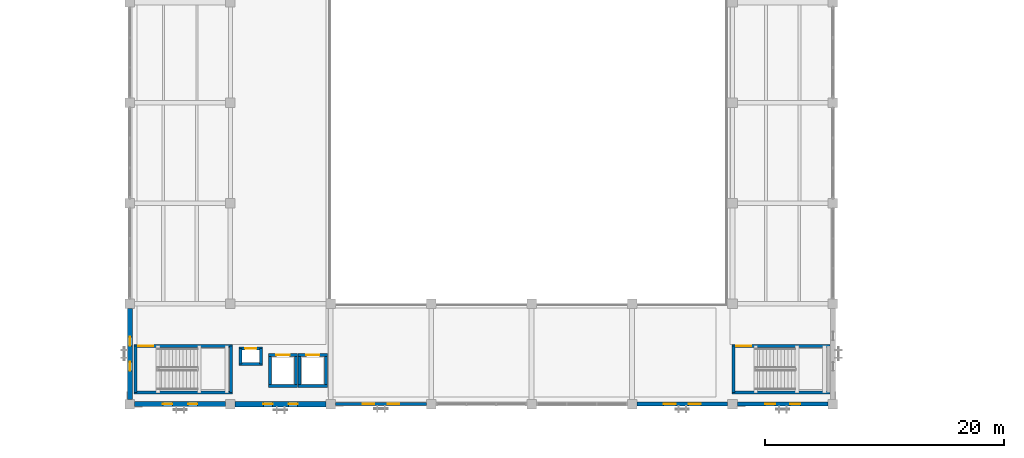
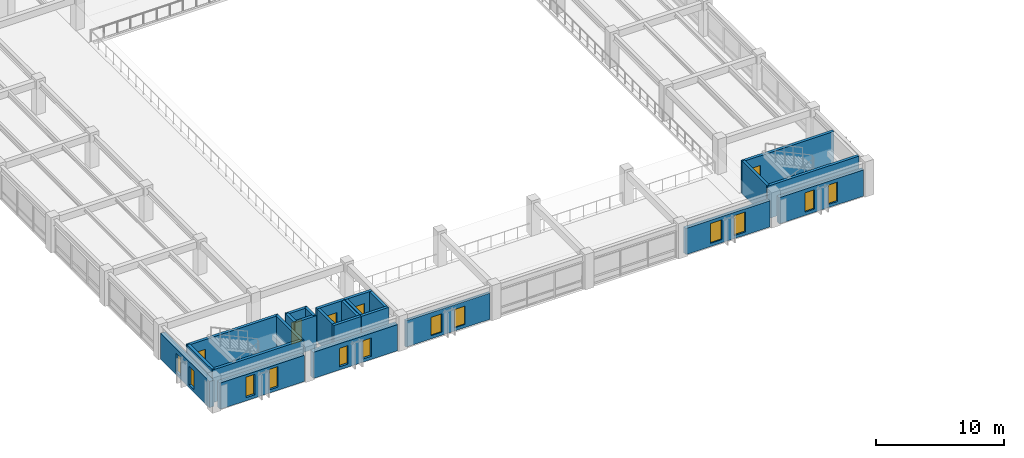
# One storey, part 83 of 111: 25 walls, 12 windows, 5 doors, 17 openings.
"""IFC4 building model written with IfcOpenShell, lengths in metres."""

from ifc_helpers import new_model, si_unit, direction, frame, frame_2d, origin, place, context, subcontext, project, spatial, rectangle, extrude, material, layer, layer_set, type_object, element, fill, save


model = new_model("IFC4")

# Units and contexts
model_context = context("Model", 3, precision=1e-05, world=origin(), true_north=direction((0.0, 1.0)))
body_context = subcontext(model_context, "Body", "Model", "MODEL_VIEW")
ifc_project = project(units=[si_unit("LENGTHUNIT", "METRE"), si_unit("AREAUNIT", "SQUARE_METRE"), si_unit("VOLUMEUNIT", "CUBIC_METRE"), si_unit("PLANEANGLEUNIT", "RADIAN"), si_unit("MASSUNIT", "GRAM", prefix="KILO")], contexts=[model_context])

# Site, building, storey
site_placement = place(None, origin())
site = spatial("IfcSite", under=ifc_project, at=site_placement, CompositionType="ELEMENT")
building_placement = place(site_placement, origin())
building = spatial("IfcBuilding", under=site, at=building_placement, Name="Cumbredor Promenade Congress Hotel", CompositionType="ELEMENT")
storey_placement = place(building_placement, frame((0.0, 0.0, 15.1201171875)))
storey = spatial("IfcBuildingStorey", under=building, at=storey_placement, Name="L04", CompositionType="ELEMENT", Elevation=15.1201171875)

# Wall, openings, windows
ifc_material_1 = material(Name="Concrete C40/50", Category="concrete")
ifc_layer_1 = layer(ifc_material_1, 0.260009765625, Name="Concrete C40/50", Category="concrete")
ifc_layer_set_1 = layer_set([ifc_layer_1], Name="Concrete C40/50")
wall_type_1 = type_object("IfcWallType", Name="WL-EXT-260", PredefinedType="SOLIDWALL", material=ifc_layer_set_1)
wall_1_placement = place(storey_placement, frame((25.60107421875, 8.39990234375, 0.0), z_axis=(0.0, 0.0, 1.0), x_axis=(1.0, 0.0, 0.0)))
wall_1 = element("IfcWall", 1, at=wall_1_placement, inside=storey, type_object=wall_type_1, Name="L04 Plenary Congress Hall South Envelope Wall 3", PredefinedType="SOLIDWALL", context=body_context, shape_type="SweptSolid", body=[
    extrude(rectangle(XDim=7.597900390625, YDim=0.260009765625, at=frame_2d((3.798828125, 0.0))), origin(), (0.0, 0.0, 1.0), 2.493896484375),
])
opening_1_placement = place(wall_1_placement, frame((2.259033203125, 0.0, 0.300048828125)))
opening_1 = element("IfcOpeningElement", 2, at=opening_1_placement, cuts=wall_1, Name="Opening WN-64", PredefinedType="OPENING", context=body_context, shape_type="SweptSolid", body=[
    extrude(rectangle(XDim=0.97998046875, YDim=1.75, at=frame_2d((0.489990234375, 0.875))), frame((0.0, 0.14013671875, 0.0), z_axis=(0.0, -1.0, 0.0), x_axis=(1.0, 0.0, 0.0)), (0.0, 0.0, 1.0), 0.280029296875),
])
opening_2_placement = place(wall_1_placement, frame((4.35888671875, 0.0, 0.300048828125)))
opening_2 = element("IfcOpeningElement", 3, at=opening_2_placement, cuts=wall_1, Name="Opening WN-64", PredefinedType="OPENING", context=body_context, shape_type="SweptSolid", body=[
    extrude(rectangle(XDim=0.97998046875, YDim=1.75, at=frame_2d((0.489990234375, 0.875))), frame((0.0, 0.14013671875, 0.0), z_axis=(0.0, -1.0, 0.0), x_axis=(1.0, 0.0, 0.0)), (0.0, 0.0, 1.0), 0.280029296875),
])
ifc_material_2 = material(Name="Thermally broken anodized aluminium and low-E glass", Category="aluminium")
window_type_1 = type_object("IfcWindowType", Name="Vertical Slot Window WN-64 980x1750", PartitioningType="SINGLE_PANEL", PredefinedType="WINDOW", material=ifc_material_2)
window_1_placement = place(opening_1_placement, origin())
window_1 = element("IfcWindow", 4, at=window_1_placement, inside=storey, type_object=window_type_1, Name="L04 Vertical Slot Window 0448", OverallHeight=1.75, OverallWidth=0.97998046875, PartitioningType="SINGLE_PANEL", PredefinedType="WINDOW", context=body_context, shape_type="SweptSolid", body=[
    extrude(rectangle(XDim=0.97998046875, YDim=1.75, at=frame_2d((0.489990234375, 0.875))), frame((0.0, 0.030029296875, 0.0), z_axis=(0.0, -1.0, 0.0), x_axis=(1.0, 0.0, 0.0)), (0.0, 0.0, 1.0), 0.06005859375),
])
fill(opening_1, window_1)
window_2_placement = place(opening_2_placement, origin())
window_2 = element("IfcWindow", 5, at=window_2_placement, inside=storey, type_object=window_type_1, Name="L04 Vertical Slot Window 0449", OverallHeight=1.75, OverallWidth=0.97998046875, PartitioningType="SINGLE_PANEL", PredefinedType="WINDOW", context=body_context, shape_type="SweptSolid", body=[
    extrude(rectangle(XDim=0.97998046875, YDim=1.75, at=frame_2d((0.489990234375, 0.875))), frame((0.0, 0.030029296875, 0.0), z_axis=(0.0, -1.0, 0.0), x_axis=(1.0, 0.0, 0.0)), (0.0, 0.0, 1.0), 0.06005859375),
])
fill(opening_2, window_2)

ifc_layer_2 = layer(ifc_material_1, 0.324951171875, Name="Concrete C40/50", Category="concrete")
ifc_layer_set_2 = layer_set([ifc_layer_2], Name="Concrete C40/50")
wall_type_2 = type_object("IfcWallType", Name="WL-EXT-325", PredefinedType="SOLIDWALL", material=ifc_layer_set_2)
wall_2_placement = place(storey_placement, frame((50.801025390625, 8.39990234375, 0.0), z_axis=(0.0, 0.0, 1.0), x_axis=(1.0, 0.0, 0.0)))
wall_2 = element("IfcWall", 6, at=wall_2_placement, inside=storey, type_object=wall_type_2, Name="L04 Plenary Congress Hall South Envelope Wall 6", PredefinedType="SOLIDWALL", context=body_context, shape_type="SweptSolid", body=[
    extrude(rectangle(XDim=7.597900390625, YDim=0.324951171875, at=frame_2d((3.798828125, 0.0))), origin(), (0.0, 0.0, 1.0), 2.493896484375),
])
opening_3_placement = place(wall_2_placement, frame((2.239013671875, 0.0, 0.300048828125)))
opening_3 = element("IfcOpeningElement", 7, at=opening_3_placement, cuts=wall_2, Name="Opening WN-69", PredefinedType="OPENING", context=body_context, shape_type="SweptSolid", body=[
    extrude(rectangle(XDim=1.02001953125, YDim=1.89990234375, at=frame_2d((0.510009765625, 0.949951171875))), frame((0.0, 0.17236328125, 0.0), z_axis=(0.0, -1.0, 0.0), x_axis=(1.0, 0.0, 0.0)), (0.0, 0.0, 1.0), 0.344970703125),
])
opening_4_placement = place(wall_2_placement, frame((4.339111328125, 0.0, 0.300048828125)))
opening_4 = element("IfcOpeningElement", 8, at=opening_4_placement, cuts=wall_2, Name="Opening WN-69", PredefinedType="OPENING", context=body_context, shape_type="SweptSolid", body=[
    extrude(rectangle(XDim=1.02001953125, YDim=1.89990234375, at=frame_2d((0.510009765625, 0.949951171875))), frame((0.0, 0.17236328125, 0.0), z_axis=(0.0, -1.0, 0.0), x_axis=(1.0, 0.0, 0.0)), (0.0, 0.0, 1.0), 0.344970703125),
])
window_type_2 = type_object("IfcWindowType", Name="Vertical Slot Window WN-69 1020x1900", PartitioningType="SINGLE_PANEL", PredefinedType="WINDOW", material=ifc_material_2)
window_3_placement = place(opening_3_placement, origin())
window_3 = element("IfcWindow", 9, at=window_3_placement, inside=storey, type_object=window_type_2, Name="L04 Vertical Slot Window 0450", OverallHeight=1.89990234375, OverallWidth=1.02001953125, PartitioningType="SINGLE_PANEL", PredefinedType="WINDOW", context=body_context, shape_type="SweptSolid", body=[
    extrude(rectangle(XDim=1.02001953125, YDim=1.89990234375, at=frame_2d((0.510009765625, 0.949951171875))), frame((0.0, 0.030029296875, 0.0), z_axis=(0.0, -1.0, 0.0), x_axis=(1.0, 0.0, 0.0)), (0.0, 0.0, 1.0), 0.06005859375),
])
fill(opening_3, window_3)
window_4_placement = place(opening_4_placement, origin())
window_4 = element("IfcWindow", 10, at=window_4_placement, inside=storey, type_object=window_type_2, Name="L04 Vertical Slot Window 0451", OverallHeight=1.89990234375, OverallWidth=1.02001953125, PartitioningType="SINGLE_PANEL", PredefinedType="WINDOW", context=body_context, shape_type="SweptSolid", body=[
    extrude(rectangle(XDim=1.02001953125, YDim=1.89990234375, at=frame_2d((0.510009765625, 0.949951171875))), frame((0.0, 0.030029296875, 0.0), z_axis=(0.0, -1.0, 0.0), x_axis=(1.0, 0.0, 0.0)), (0.0, 0.0, 1.0), 0.06005859375),
])
fill(opening_4, window_4)

ifc_layer_3 = layer(ifc_material_1, 0.35009765625, Name="Concrete C40/50", Category="concrete")
ifc_layer_set_3 = layer_set([ifc_layer_3], Name="Concrete C40/50")
wall_type_3 = type_object("IfcWallType", Name="WL-EXT-350", PredefinedType="SOLIDWALL", material=ifc_layer_set_3)
wall_3_placement = place(storey_placement, frame((59.200927734375, 8.39990234375, 0.0), z_axis=(0.0, 0.0, 1.0), x_axis=(1.0, 0.0, 0.0)))
wall_3 = element("IfcWall", 11, at=wall_3_placement, inside=storey, type_object=wall_type_3, Name="L04 Plenary Congress Hall South Envelope Wall 7", PredefinedType="SOLIDWALL", context=body_context, shape_type="SweptSolid", body=[
    extrude(rectangle(XDim=7.59814453125, YDim=0.35009765625, at=frame_2d((3.799072265625, 0.0))), origin(), (0.0, 0.0, 1.0), 2.493896484375),
])
opening_5_placement = place(wall_3_placement, frame((2.3291015625, 0.0, 0.300048828125)))
opening_5 = element("IfcOpeningElement", 12, at=opening_5_placement, cuts=wall_3, Name="Opening WN-47", PredefinedType="OPENING", context=body_context, shape_type="SweptSolid", body=[
    extrude(rectangle(XDim=0.840087890625, YDim=1.85009765625, at=frame_2d((0.419921875, 0.925048828125))), frame((0.0, 0.18505859375, 0.0), z_axis=(0.0, -1.0, 0.0), x_axis=(1.0, 0.0, 0.0)), (0.0, 0.0, 1.0), 0.3701171875),
])
opening_6_placement = place(wall_3_placement, frame((4.428955078125, 0.0, 0.300048828125)))
opening_6 = element("IfcOpeningElement", 13, at=opening_6_placement, cuts=wall_3, Name="Opening WN-47", PredefinedType="OPENING", context=body_context, shape_type="SweptSolid", body=[
    extrude(rectangle(XDim=0.840087890625, YDim=1.85009765625, at=frame_2d((0.419921875, 0.925048828125))), frame((0.0, 0.18505859375, 0.0), z_axis=(0.0, -1.0, 0.0), x_axis=(1.0, 0.0, 0.0)), (0.0, 0.0, 1.0), 0.3701171875),
])
window_type_3 = type_object("IfcWindowType", Name="Vertical Slot Window WN-47 840x1850", PartitioningType="SINGLE_PANEL", PredefinedType="WINDOW", material=ifc_material_2)
window_5_placement = place(opening_5_placement, origin())
window_5 = element("IfcWindow", 14, at=window_5_placement, inside=storey, type_object=window_type_3, Name="L04 Vertical Slot Window 0452", OverallHeight=1.85009765625, OverallWidth=0.840087890625, PartitioningType="SINGLE_PANEL", PredefinedType="WINDOW", context=body_context, shape_type="SweptSolid", body=[
    extrude(rectangle(XDim=0.840087890625, YDim=1.85009765625, at=frame_2d((0.419921875, 0.925048828125))), frame((0.0, 0.030029296875, 0.0), z_axis=(0.0, -1.0, 0.0), x_axis=(1.0, 0.0, 0.0)), (0.0, 0.0, 1.0), 0.06005859375),
])
fill(opening_5, window_5)
window_6_placement = place(opening_6_placement, origin())
window_6 = element("IfcWindow", 15, at=window_6_placement, inside=storey, type_object=window_type_3, Name="L04 Vertical Slot Window 0453", OverallHeight=1.85009765625, OverallWidth=0.840087890625, PartitioningType="SINGLE_PANEL", PredefinedType="WINDOW", context=body_context, shape_type="SweptSolid", body=[
    extrude(rectangle(XDim=0.840087890625, YDim=1.85009765625, at=frame_2d((0.419921875, 0.925048828125))), frame((0.0, 0.030029296875, 0.0), z_axis=(0.0, -1.0, 0.0), x_axis=(1.0, 0.0, 0.0)), (0.0, 0.0, 1.0), 0.06005859375),
])
fill(opening_6, window_6)

ifc_layer_4 = layer(ifc_material_1, 0.425048828125, Name="Concrete C40/50", Category="concrete")
ifc_layer_set_4 = layer_set([ifc_layer_4], Name="Concrete C40/50")
wall_type_4 = type_object("IfcWallType", Name="WL-EXT-425", PredefinedType="SOLIDWALL", material=ifc_layer_set_4)
wall_4_placement = place(storey_placement, frame((8.801025390625, 8.39990234375, 0.0), z_axis=(0.0, 0.0, 1.0), x_axis=(1.0, 0.0, 0.0)))
wall_4 = element("IfcWall", 16, at=wall_4_placement, inside=storey, type_object=wall_type_4, Name="L04 Plenary Congress Hall South Envelope Wall 1", PredefinedType="SOLIDWALL", context=body_context, shape_type="SweptSolid", body=[
    extrude(rectangle(XDim=7.597900390625, YDim=0.425048828125, at=frame_2d((3.798828125, 0.0))), origin(), (0.0, 0.0, 1.0), 2.493896484375),
])
opening_7_placement = place(wall_4_placement, frame((2.35888671875, 0.0, 0.300048828125)))
opening_7 = element("IfcOpeningElement", 17, at=opening_7_placement, cuts=wall_4, Name="Opening WN-50", PredefinedType="OPENING", context=body_context, shape_type="SweptSolid", body=[
    extrude(rectangle(XDim=0.780029296875, YDim=1.949951171875, at=frame_2d((0.39013671875, 0.97509765625))), frame((0.0, 0.22265625, 0.0), z_axis=(0.0, -1.0, 0.0), x_axis=(1.0, 0.0, 0.0)), (0.0, 0.0, 1.0), 0.445068359375),
])
opening_8_placement = place(wall_4_placement, frame((4.458984375, 0.0, 0.300048828125)))
opening_8 = element("IfcOpeningElement", 18, at=opening_8_placement, cuts=wall_4, Name="Opening WN-50", PredefinedType="OPENING", context=body_context, shape_type="SweptSolid", body=[
    extrude(rectangle(XDim=0.780029296875, YDim=1.949951171875, at=frame_2d((0.39013671875, 0.97509765625))), frame((0.0, 0.22265625, 0.0), z_axis=(0.0, -1.0, 0.0), x_axis=(1.0, 0.0, 0.0)), (0.0, 0.0, 1.0), 0.445068359375),
])
window_type_4 = type_object("IfcWindowType", Name="Vertical Slot Window WN-50 780x1950", PartitioningType="SINGLE_PANEL", PredefinedType="WINDOW", material=ifc_material_2)
window_7_placement = place(opening_7_placement, origin())
window_7 = element("IfcWindow", 19, at=window_7_placement, inside=storey, type_object=window_type_4, Name="L04 Vertical Slot Window 0444", OverallHeight=1.949951171875, OverallWidth=0.780029296875, PartitioningType="SINGLE_PANEL", PredefinedType="WINDOW", context=body_context, shape_type="SweptSolid", body=[
    extrude(rectangle(XDim=0.780029296875, YDim=1.949951171875, at=frame_2d((0.39013671875, 0.97509765625))), frame((0.0, 0.030029296875, 0.0), z_axis=(0.0, -1.0, 0.0), x_axis=(1.0, 0.0, 0.0)), (0.0, 0.0, 1.0), 0.06005859375),
])
fill(opening_7, window_7)
window_8_placement = place(opening_8_placement, origin())
window_8 = element("IfcWindow", 20, at=window_8_placement, inside=storey, type_object=window_type_4, Name="L04 Vertical Slot Window 0445", OverallHeight=1.949951171875, OverallWidth=0.780029296875, PartitioningType="SINGLE_PANEL", PredefinedType="WINDOW", context=body_context, shape_type="SweptSolid", body=[
    extrude(rectangle(XDim=0.780029296875, YDim=1.949951171875, at=frame_2d((0.39013671875, 0.97509765625))), frame((0.0, 0.030029296875, 0.0), z_axis=(0.0, -1.0, 0.0), x_axis=(1.0, 0.0, 0.0)), (0.0, 0.0, 1.0), 0.06005859375),
])
fill(opening_8, window_8)

wall_5_placement = place(storey_placement, frame((8.39990234375, 8.801025390625, 0.0), z_axis=(0.0, 0.0, 1.0), x_axis=(0.0, 1.0, 0.0)))
wall_5 = element("IfcWall", 21, at=wall_5_placement, inside=storey, type_object=wall_type_4, Name="L04 Plenary Congress Hall West Envelope Wall 1", PredefinedType="SOLIDWALL", context=body_context, shape_type="SweptSolid", body=[
    extrude(rectangle(XDim=7.597900390625, YDim=0.425048828125, at=frame_2d((3.798828125, 0.0))), origin(), (0.0, 0.0, 1.0), 2.493896484375),
])
opening_9_placement = place(wall_5_placement, frame((2.368896484375, 0.0, 0.300048828125)))
opening_9 = element("IfcOpeningElement", 22, at=opening_9_placement, cuts=wall_5, Name="Opening WN-61", PredefinedType="OPENING", context=body_context, shape_type="SweptSolid", body=[
    extrude(rectangle(XDim=0.760009765625, YDim=1.75, at=frame_2d((0.3798828125, 0.875))), frame((0.0, 0.22265625, 0.0), z_axis=(0.0, -1.0, 0.0), x_axis=(1.0, 0.0, 0.0)), (0.0, 0.0, 1.0), 0.445068359375),
])
opening_10_placement = place(wall_5_placement, frame((4.468994140625, 0.0, 0.300048828125)))
opening_10 = element("IfcOpeningElement", 23, at=opening_10_placement, cuts=wall_5, Name="Opening WN-61", PredefinedType="OPENING", context=body_context, shape_type="SweptSolid", body=[
    extrude(rectangle(XDim=0.760009765625, YDim=1.75, at=frame_2d((0.3798828125, 0.875))), frame((0.0, 0.22265625, 0.0), z_axis=(0.0, -1.0, 0.0), x_axis=(1.0, 0.0, 0.0)), (0.0, 0.0, 1.0), 0.445068359375),
])
window_type_5 = type_object("IfcWindowType", Name="Vertical Slot Window WN-61 760x1750", PartitioningType="SINGLE_PANEL", PredefinedType="WINDOW", material=ifc_material_2)
window_9_placement = place(opening_9_placement, origin())
window_9 = element("IfcWindow", 24, at=window_9_placement, inside=storey, type_object=window_type_5, Name="L04 Vertical Slot Window 0464", OverallHeight=1.75, OverallWidth=0.760009765625, PartitioningType="SINGLE_PANEL", PredefinedType="WINDOW", context=body_context, shape_type="SweptSolid", body=[
    extrude(rectangle(XDim=0.760009765625, YDim=1.75, at=frame_2d((0.3798828125, 0.875))), frame((0.0, 0.030029296875, 0.0), z_axis=(0.0, -1.0, 0.0), x_axis=(1.0, 0.0, 0.0)), (0.0, 0.0, 1.0), 0.06005859375),
])
fill(opening_9, window_9)
window_10_placement = place(opening_10_placement, origin())
window_10 = element("IfcWindow", 25, at=window_10_placement, inside=storey, type_object=window_type_5, Name="L04 Vertical Slot Window 0465", OverallHeight=1.75, OverallWidth=0.760009765625, PartitioningType="SINGLE_PANEL", PredefinedType="WINDOW", context=body_context, shape_type="SweptSolid", body=[
    extrude(rectangle(XDim=0.760009765625, YDim=1.75, at=frame_2d((0.3798828125, 0.875))), frame((0.0, 0.030029296875, 0.0), z_axis=(0.0, -1.0, 0.0), x_axis=(1.0, 0.0, 0.0)), (0.0, 0.0, 1.0), 0.06005859375),
])
fill(opening_10, window_10)

ifc_layer_5 = layer(ifc_material_1, 0.449951171875, Name="Concrete C40/50", Category="concrete")
ifc_layer_set_5 = layer_set([ifc_layer_5], Name="Concrete C40/50")
wall_type_5 = type_object("IfcWallType", Name="WL-EXT-450", PredefinedType="SOLIDWALL", material=ifc_layer_set_5)
wall_6_placement = place(storey_placement, frame((17.200927734375, 8.39990234375, 0.0), z_axis=(0.0, 0.0, 1.0), x_axis=(1.0, 0.0, 0.0)))
wall_6 = element("IfcWall", 26, at=wall_6_placement, inside=storey, type_object=wall_type_5, Name="L04 Plenary Congress Hall South Envelope Wall 2", PredefinedType="SOLIDWALL", context=body_context, shape_type="SweptSolid", body=[
    extrude(rectangle(XDim=7.59814453125, YDim=0.449951171875, at=frame_2d((3.799072265625, 0.0))), origin(), (0.0, 0.0, 1.0), 2.493896484375),
])
opening_11_placement = place(wall_6_placement, frame((2.368896484375, 0.0, 0.300048828125)))
opening_11 = element("IfcOpeningElement", 27, at=opening_11_placement, cuts=wall_6, Name="Opening WN-61", PredefinedType="OPENING", context=body_context, shape_type="SweptSolid", body=[
    extrude(rectangle(XDim=0.760009765625, YDim=1.75, at=frame_2d((0.3798828125, 0.875))), frame((0.0, 0.23486328125, 0.0), z_axis=(0.0, -1.0, 0.0), x_axis=(1.0, 0.0, 0.0)), (0.0, 0.0, 1.0), 0.469970703125),
])
opening_12_placement = place(wall_6_placement, frame((4.468994140625, 0.0, 0.300048828125)))
opening_12 = element("IfcOpeningElement", 28, at=opening_12_placement, cuts=wall_6, Name="Opening WN-61", PredefinedType="OPENING", context=body_context, shape_type="SweptSolid", body=[
    extrude(rectangle(XDim=0.760009765625, YDim=1.75, at=frame_2d((0.3798828125, 0.875))), frame((0.0, 0.23486328125, 0.0), z_axis=(0.0, -1.0, 0.0), x_axis=(1.0, 0.0, 0.0)), (0.0, 0.0, 1.0), 0.469970703125),
])
window_11_placement = place(opening_11_placement, origin())
window_11 = element("IfcWindow", 29, at=window_11_placement, inside=storey, type_object=window_type_5, Name="L04 Vertical Slot Window 0446", OverallHeight=1.75, OverallWidth=0.760009765625, PartitioningType="SINGLE_PANEL", PredefinedType="WINDOW", context=body_context, shape_type="SweptSolid", body=[
    extrude(rectangle(XDim=0.760009765625, YDim=1.75, at=frame_2d((0.3798828125, 0.875))), frame((0.0, 0.030029296875, 0.0), z_axis=(0.0, -1.0, 0.0), x_axis=(1.0, 0.0, 0.0)), (0.0, 0.0, 1.0), 0.06005859375),
])
fill(opening_11, window_11)
window_12_placement = place(opening_12_placement, origin())
window_12 = element("IfcWindow", 30, at=window_12_placement, inside=storey, type_object=window_type_5, Name="L04 Vertical Slot Window 0447", OverallHeight=1.75, OverallWidth=0.760009765625, PartitioningType="SINGLE_PANEL", PredefinedType="WINDOW", context=body_context, shape_type="SweptSolid", body=[
    extrude(rectangle(XDim=0.760009765625, YDim=1.75, at=frame_2d((0.3798828125, 0.875))), frame((0.0, 0.030029296875, 0.0), z_axis=(0.0, -1.0, 0.0), x_axis=(1.0, 0.0, 0.0)), (0.0, 0.0, 1.0), 0.06005859375),
])
fill(opening_12, window_12)

# Wall
ifc_layer_6 = layer(ifc_material_1, 0.2548828125, Name="Concrete C40/50", Category="concrete")
ifc_layer_set_6 = layer_set([ifc_layer_6], Name="Concrete C40/50")
wall_type_6 = type_object("IfcWallType", Name="WL-SHAFT-250", PredefinedType="SOLIDWALL", material=ifc_layer_set_6)
wall_7_placement = place(storey_placement, frame((8.75244140625, 9.3798828125, 0.0), z_axis=(0.0, 0.0, 1.0), x_axis=(1.0, 0.0, 0.0)))
element("IfcWall", 31, at=wall_7_placement, inside=storey, type_object=wall_type_6, Name="STAIR-ST-04-L04 Shaft Wall South", PredefinedType="SOLIDWALL", context=body_context, shape_type="SweptSolid", body=[
    extrude(rectangle(XDim=8.22509765625, YDim=0.2548828125, at=frame_2d((4.112548828125, 0.0))), origin(), (0.0, 0.0, 1.0), 3.119873046875),
])

# Wall, opening, door
wall_8_placement = place(storey_placement, frame((8.75244140625, 13.25, 0.0), z_axis=(0.0, 0.0, 1.0), x_axis=(1.0, 0.0, 0.0)))
wall_8 = element("IfcWall", 32, at=wall_8_placement, inside=storey, type_object=wall_type_6, Name="STAIR-ST-04-L04 Shaft Wall North", PredefinedType="SOLIDWALL", context=body_context, shape_type="SweptSolid", body=[
    extrude(rectangle(XDim=8.22509765625, YDim=0.2548828125, at=frame_2d((4.112548828125, 0.0))), origin(), (0.0, 0.0, 1.0), 3.119873046875),
])
opening_13_placement = place(wall_8_placement, frame((0.35009765625, 0.0, 0.0)))
opening_13 = element("IfcOpeningElement", 33, at=opening_13_placement, cuts=wall_8, Name="Opening SD-02", PredefinedType="OPENING", context=body_context, shape_type="SweptSolid", body=[
    extrude(rectangle(XDim=1.25, YDim=2.199951171875, at=frame_2d((0.625, 1.10009765625))), frame((0.0, 0.137451171875, 0.0), z_axis=(0.0, -1.0, 0.0), x_axis=(1.0, 0.0, 0.0)), (0.0, 0.0, 1.0), 0.27490234375),
])
ifc_material_3 = material(Name="Painted galvanized steel fire door", Category="steel")
door_type_1 = type_object("IfcDoorType", Name="DR-STAIR-FD90-1250", OperationType="NOTDEFINED", PredefinedType="DOOR", material=ifc_material_3)
door_1_placement = place(opening_13_placement, origin())
door_1 = element("IfcDoor", 34, at=door_1_placement, inside=storey, type_object=door_type_1, Name="L04 Protected Exit Stair ST-04 Door", OperationType="SINGLE_SWING_LEFT", OverallHeight=2.199951171875, OverallWidth=1.25, PredefinedType="DOOR", context=body_context, shape_type="SweptSolid", body=[
    extrude(rectangle(XDim=1.25, YDim=2.199951171875, at=frame_2d((0.625, 1.10009765625))), frame((0.0, 0.02490234375, 0.0), z_axis=(0.0, -1.0, 0.0), x_axis=(1.0, 0.0, 0.0)), (0.0, 0.0, 1.0), 0.050048828125),
])
fill(opening_13, door_1)

# Walls
for number, where, z_axis, x_axis, name in (
    (35, (8.8798828125, 9.3798828125, 0.0), (0.0, 0.0, 1.0), (0.0, 1.0, 0.0), "STAIR-ST-04-L04 Shaft Wall West"),
    (36, (16.85009765625, 9.3798828125, 0.0), (0.0, 0.0, 1.0), (0.0, 1.0, 0.0), "STAIR-ST-04-L04 Shaft Wall East"),
):
    element("IfcWall", number, at=place(storey_placement, frame(where, z_axis=z_axis, x_axis=x_axis)), inside=storey, type_object=wall_type_6, Name=name, PredefinedType="SOLIDWALL", context=body_context, shape_type="SweptSolid", body=[
        extrude(rectangle(XDim=3.8701171875, YDim=0.2548828125, at=frame_2d((1.93505859375, 0.0))), origin(), (0.0, 0.0, 1.0), 3.119873046875),
    ])
wall_9_placement = place(storey_placement, frame((58.75244140625, 9.3798828125, 0.0), z_axis=(0.0, 0.0, 1.0), x_axis=(1.0, 0.0, 0.0)))
element("IfcWall", 37, at=wall_9_placement, inside=storey, type_object=wall_type_6, Name="STAIR-ST-05-L04 Shaft Wall South", PredefinedType="SOLIDWALL", context=body_context, shape_type="SweptSolid", body=[
    extrude(rectangle(XDim=8.22509765625, YDim=0.2548828125, at=frame_2d((4.112548828125, 0.0))), origin(), (0.0, 0.0, 1.0), 3.119873046875),
])

# Wall, opening, door
wall_10_placement = place(storey_placement, frame((58.75244140625, 13.25, 0.0), z_axis=(0.0, 0.0, 1.0), x_axis=(1.0, 0.0, 0.0)))
wall_10 = element("IfcWall", 38, at=wall_10_placement, inside=storey, type_object=wall_type_6, Name="STAIR-ST-05-L04 Shaft Wall North", PredefinedType="SOLIDWALL", context=body_context, shape_type="SweptSolid", body=[
    extrude(rectangle(XDim=8.22509765625, YDim=0.2548828125, at=frame_2d((4.112548828125, 0.0))), origin(), (0.0, 0.0, 1.0), 3.119873046875),
])
opening_14_placement = place(wall_10_placement, frame((0.35009765625, 0.0, 0.0)))
opening_14 = element("IfcOpeningElement", 39, at=opening_14_placement, cuts=wall_10, Name="Opening SD-02", PredefinedType="OPENING", context=body_context, shape_type="SweptSolid", body=[
    extrude(rectangle(XDim=1.25, YDim=2.199951171875, at=frame_2d((0.625, 1.10009765625))), frame((0.0, 0.137451171875, 0.0), z_axis=(0.0, -1.0, 0.0), x_axis=(1.0, 0.0, 0.0)), (0.0, 0.0, 1.0), 0.27490234375),
])
door_2_placement = place(opening_14_placement, origin())
door_2 = element("IfcDoor", 40, at=door_2_placement, inside=storey, type_object=door_type_1, Name="L04 Protected Exit Stair ST-05 Door", OperationType="SINGLE_SWING_LEFT", OverallHeight=2.199951171875, OverallWidth=1.25, PredefinedType="DOOR", context=body_context, shape_type="SweptSolid", body=[
    extrude(rectangle(XDim=1.25, YDim=2.199951171875, at=frame_2d((0.625, 1.10009765625))), frame((0.0, 0.02490234375, 0.0), z_axis=(0.0, -1.0, 0.0), x_axis=(1.0, 0.0, 0.0)), (0.0, 0.0, 1.0), 0.050048828125),
])
fill(opening_14, door_2)

# Walls
wall_11_placement = place(storey_placement, frame((58.8798828125, 9.3798828125, 0.0), z_axis=(0.0, 0.0, 1.0), x_axis=(0.0, 1.0, 0.0)))
element("IfcWall", 41, at=wall_11_placement, inside=storey, type_object=wall_type_6, Name="STAIR-ST-05-L04 Shaft Wall West", PredefinedType="SOLIDWALL", context=body_context, shape_type="SweptSolid", body=[
    extrude(rectangle(XDim=3.8701171875, YDim=0.2548828125, at=frame_2d((1.93505859375, 0.0))), origin(), (0.0, 0.0, 1.0), 3.119873046875),
])
wall_12_placement = place(storey_placement, frame((19.972412109375, 9.89990234375, 0.0), z_axis=(0.0, 0.0, 1.0), x_axis=(1.0, 0.0, 0.0)))
element("IfcWall", 42, at=wall_12_placement, inside=storey, type_object=wall_type_6, Name="SHAFT-PL-05-L04 Shaft Wall South", PredefinedType="SOLIDWALL", context=body_context, shape_type="SweptSolid", body=[
    extrude(rectangle(XDim=2.455078125, YDim=0.2548828125, at=frame_2d((1.2275390625, 0.0))), origin(), (0.0, 0.0, 1.0), 3.119873046875),
])

# Wall, opening, door
wall_13_placement = place(storey_placement, frame((19.972412109375, 12.5, 0.0), z_axis=(0.0, 0.0, 1.0), x_axis=(1.0, 0.0, 0.0)))
wall_13 = element("IfcWall", 43, at=wall_13_placement, inside=storey, type_object=wall_type_6, Name="SHAFT-PL-05-L04 Shaft Wall North", PredefinedType="SOLIDWALL", context=body_context, shape_type="SweptSolid", body=[
    extrude(rectangle(XDim=2.455078125, YDim=0.2548828125, at=frame_2d((1.2275390625, 0.0))), origin(), (0.0, 0.0, 1.0), 3.119873046875),
])
opening_15_placement = place(wall_13_placement, frame((0.677490234375, 0.0, 0.0)))
opening_15 = element("IfcOpeningElement", 44, at=opening_15_placement, cuts=wall_13, Name="Opening LD-01", PredefinedType="OPENING", context=body_context, shape_type="SweptSolid", body=[
    extrude(rectangle(XDim=1.10009765625, YDim=2.14990234375, at=frame_2d((0.550048828125, 1.074951171875))), frame((0.0, 0.137451171875, 0.0), z_axis=(0.0, -1.0, 0.0), x_axis=(1.0, 0.0, 0.0)), (0.0, 0.0, 1.0), 0.27490234375),
])
ifc_material_4 = material(Name="Brushed stainless steel", Category="steel")
door_type_2 = type_object("IfcDoorType", Name="Lift Landing Sliding Door LD-01 1100x2150", OperationType="DOUBLE_DOOR_SLIDING", PredefinedType="DOOR", material=ifc_material_4)
door_3_placement = place(opening_15_placement, origin())
door_3 = element("IfcDoor", 45, at=door_3_placement, inside=storey, type_object=door_type_2, Name="L04 Plenary Passenger Lift PL-05 Sliding Landing Door", OperationType="DOUBLE_DOOR_SLIDING", OverallHeight=2.14990234375, OverallWidth=1.10009765625, PredefinedType="DOOR", context=body_context, shape_type="SweptSolid", body=[
    extrude(rectangle(XDim=1.10009765625, YDim=2.14990234375, at=frame_2d((0.550048828125, 1.074951171875))), frame((0.0, 0.02490234375, 0.0), z_axis=(0.0, -1.0, 0.0), x_axis=(1.0, 0.0, 0.0)), (0.0, 0.0, 1.0), 0.050048828125),
])
fill(opening_15, door_3)

# Walls
for number, where, z_axis, x_axis, name in (
    (46, (20.10009765625, 9.89990234375, 0.0), (0.0, 0.0, 1.0), (0.0, 1.0, 0.0), "SHAFT-PL-05-L04 Shaft Wall West"),
    (47, (22.300048828125, 9.89990234375, 0.0), (0.0, 0.0, 1.0), (0.0, 1.0, 0.0), "SHAFT-PL-05-L04 Shaft Wall East"),
):
    element("IfcWall", number, at=place(storey_placement, frame(where, z_axis=z_axis, x_axis=x_axis)), inside=storey, type_object=wall_type_6, Name=name, PredefinedType="SOLIDWALL", context=body_context, shape_type="SweptSolid", body=[
        extrude(rectangle(XDim=2.60009765625, YDim=0.2548828125, at=frame_2d((1.300048828125, 0.0))), origin(), (0.0, 0.0, 1.0), 3.119873046875),
    ])
wall_14_placement = place(storey_placement, frame((22.472412109375, 9.89990234375, 0.0), z_axis=(0.0, 0.0, 1.0), x_axis=(1.0, 0.0, 0.0)))
element("IfcWall", 48, at=wall_14_placement, inside=storey, type_object=wall_type_6, Name="SHAFT-PL-06-L04 Shaft Wall South", PredefinedType="SOLIDWALL", context=body_context, shape_type="SweptSolid", body=[
    extrude(rectangle(XDim=2.455078125, YDim=0.2548828125, at=frame_2d((1.2275390625, 0.0))), origin(), (0.0, 0.0, 1.0), 3.119873046875),
])

# Wall, opening, door
wall_15_placement = place(storey_placement, frame((22.472412109375, 12.5, 0.0), z_axis=(0.0, 0.0, 1.0), x_axis=(1.0, 0.0, 0.0)))
wall_15 = element("IfcWall", 49, at=wall_15_placement, inside=storey, type_object=wall_type_6, Name="SHAFT-PL-06-L04 Shaft Wall North", PredefinedType="SOLIDWALL", context=body_context, shape_type="SweptSolid", body=[
    extrude(rectangle(XDim=2.455078125, YDim=0.2548828125, at=frame_2d((1.2275390625, 0.0))), origin(), (0.0, 0.0, 1.0), 3.119873046875),
])
opening_16_placement = place(wall_15_placement, frame((0.677490234375, 0.0, 0.0)))
opening_16 = element("IfcOpeningElement", 50, at=opening_16_placement, cuts=wall_15, Name="Opening LD-01", PredefinedType="OPENING", context=body_context, shape_type="SweptSolid", body=[
    extrude(rectangle(XDim=1.10009765625, YDim=2.14990234375, at=frame_2d((0.550048828125, 1.074951171875))), frame((0.0, 0.137451171875, 0.0), z_axis=(0.0, -1.0, 0.0), x_axis=(1.0, 0.0, 0.0)), (0.0, 0.0, 1.0), 0.27490234375),
])
door_4_placement = place(opening_16_placement, origin())
door_4 = element("IfcDoor", 51, at=door_4_placement, inside=storey, type_object=door_type_2, Name="L04 Plenary Passenger Lift PL-06 Sliding Landing Door", OperationType="DOUBLE_DOOR_SLIDING", OverallHeight=2.14990234375, OverallWidth=1.10009765625, PredefinedType="DOOR", context=body_context, shape_type="SweptSolid", body=[
    extrude(rectangle(XDim=1.10009765625, YDim=2.14990234375, at=frame_2d((0.550048828125, 1.074951171875))), frame((0.0, 0.02490234375, 0.0), z_axis=(0.0, -1.0, 0.0), x_axis=(1.0, 0.0, 0.0)), (0.0, 0.0, 1.0), 0.050048828125),
])
fill(opening_16, door_4)

# Walls
for number, where, z_axis, x_axis, name in (
    (52, (22.60009765625, 9.89990234375, 0.0), (0.0, 0.0, 1.0), (0.0, 1.0, 0.0), "SHAFT-PL-06-L04 Shaft Wall West"),
    (53, (24.800048828125, 9.89990234375, 0.0), (0.0, 0.0, 1.0), (0.0, 1.0, 0.0), "SHAFT-PL-06-L04 Shaft Wall East"),
):
    element("IfcWall", number, at=place(storey_placement, frame(where, z_axis=z_axis, x_axis=x_axis)), inside=storey, type_object=wall_type_6, Name=name, PredefinedType="SOLIDWALL", context=body_context, shape_type="SweptSolid", body=[
        extrude(rectangle(XDim=2.60009765625, YDim=0.2548828125, at=frame_2d((1.300048828125, 0.0))), origin(), (0.0, 0.0, 1.0), 3.119873046875),
    ])
wall_16_placement = place(storey_placement, frame((17.5224609375, 11.75, 0.0), z_axis=(0.0, 0.0, 1.0), x_axis=(1.0, 0.0, 0.0)))
element("IfcWall", 54, at=wall_16_placement, inside=storey, type_object=wall_type_6, Name="RISER-MEP-R2-L04 Shaft Wall South", PredefinedType="SOLIDWALL", context=body_context, shape_type="SweptSolid", body=[
    extrude(rectangle(XDim=1.955078125, YDim=0.2548828125, at=frame_2d((0.9775390625, 0.0))), origin(), (0.0, 0.0, 1.0), 3.119873046875),
])

# Wall, opening, door
wall_17_placement = place(storey_placement, frame((17.5224609375, 13.050048828125, 0.0), z_axis=(0.0, 0.0, 1.0), x_axis=(1.0, 0.0, 0.0)))
wall_17 = element("IfcWall", 55, at=wall_17_placement, inside=storey, type_object=wall_type_6, Name="RISER-MEP-R2-L04 Shaft Wall North", PredefinedType="SOLIDWALL", context=body_context, shape_type="SweptSolid", body=[
    extrude(rectangle(XDim=1.955078125, YDim=0.2548828125, at=frame_2d((0.9775390625, 0.0))), origin(), (0.0, 0.0, 1.0), 3.119873046875),
])
opening_17_placement = place(wall_17_placement, frame((0.507568359375, 0.0, 0.0)))
opening_17 = element("IfcOpeningElement", 56, at=opening_17_placement, cuts=wall_17, Name="Opening FD-03", PredefinedType="OPENING", context=body_context, shape_type="SweptSolid", body=[
    extrude(rectangle(XDim=0.93994140625, YDim=2.10009765625, at=frame_2d((0.469970703125, 1.050048828125))), frame((0.0, 0.137451171875, 0.0), z_axis=(0.0, -1.0, 0.0), x_axis=(1.0, 0.0, 0.0)), (0.0, 0.0, 1.0), 0.27490234375),
])
door_type_3 = type_object("IfcDoorType", Name="DR-SGL-FD60-950", OperationType="NOTDEFINED", PredefinedType="DOOR", material=ifc_material_3)
door_5_placement = place(opening_17_placement, origin())
door_5 = element("IfcDoor", 57, at=door_5_placement, inside=storey, type_object=door_type_3, Name="L04 Plenary MEP Riser Shaft R2 Access Door", OperationType="SINGLE_SWING_LEFT", OverallHeight=2.10009765625, OverallWidth=0.93994140625, PredefinedType="DOOR", context=body_context, shape_type="SweptSolid", body=[
    extrude(rectangle(XDim=0.93994140625, YDim=2.10009765625, at=frame_2d((0.469970703125, 1.050048828125))), frame((0.0, 0.02490234375, 0.0), z_axis=(0.0, -1.0, 0.0), x_axis=(1.0, 0.0, 0.0)), (0.0, 0.0, 1.0), 0.050048828125),
])
fill(opening_17, door_5)

# Walls
for number, where, z_axis, x_axis, name in (
    (58, (17.64990234375, 11.75, 0.0), (0.0, 0.0, 1.0), (0.0, 1.0, 0.0), "RISER-MEP-R2-L04 Shaft Wall West"),
    (59, (19.35009765625, 11.75, 0.0), (0.0, 0.0, 1.0), (0.0, 1.0, 0.0), "RISER-MEP-R2-L04 Shaft Wall East"),
):
    element("IfcWall", number, at=place(storey_placement, frame(where, z_axis=z_axis, x_axis=x_axis)), inside=storey, type_object=wall_type_6, Name=name, PredefinedType="SOLIDWALL", context=body_context, shape_type="SweptSolid", body=[
        extrude(rectangle(XDim=1.300048828125, YDim=0.2548828125, at=frame_2d((0.64990234375, 0.0))), origin(), (0.0, 0.0, 1.0), 3.119873046875),
    ])

save(model, "model.ifc")
